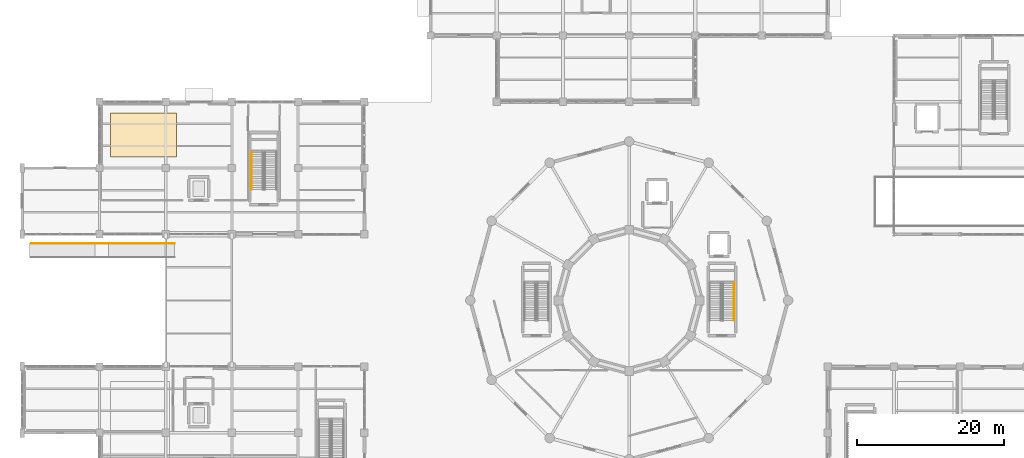
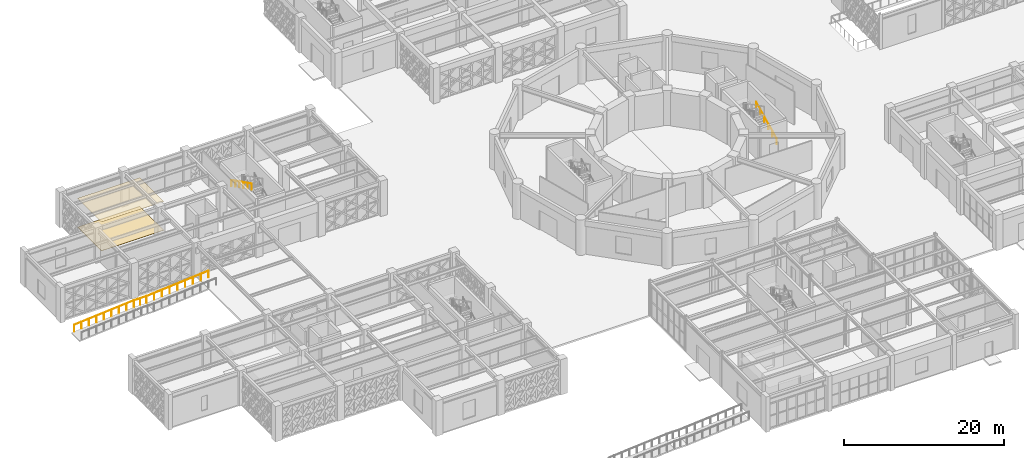
# One storey, part 132 of 140: 3 railings, 2 coverings.
"""IFC4 building model written with IfcOpenShell, lengths in metres."""

from ifc_helpers import new_model, si_unit, direction, frame, origin, origin_2d, place, context, subcontext, project, spatial, polyline, circle, outline, extrude, material, layer, layer_set, type_object, element, save


model = new_model("IFC4")

# Units and contexts
model_context = context("Model", 3, precision=1e-05, world=origin(), true_north=direction((0.0, 1.0)))
body_context = subcontext(model_context, "Body", "Model", "MODEL_VIEW")
ifc_project = project(units=[si_unit("LENGTHUNIT", "METRE"), si_unit("AREAUNIT", "SQUARE_METRE"), si_unit("VOLUMEUNIT", "CUBIC_METRE"), si_unit("PLANEANGLEUNIT", "RADIAN"), si_unit("MASSUNIT", "GRAM", prefix="KILO")], contexts=[model_context])

# Site, building, storey
site_placement = place(None, origin())
site = spatial("IfcSite", under=ifc_project, at=site_placement, CompositionType="ELEMENT")
building_placement = place(site_placement, origin())
building = spatial("IfcBuilding", under=site, at=building_placement, Name="Haizhuo Lancet Aquarium", CompositionType="ELEMENT")
storey_placement = place(building_placement, origin())
storey = spatial("IfcBuildingStorey", under=building, at=storey_placement, Name="L00", CompositionType="ELEMENT", Elevation=0.0)

# Coverings
ifc_material_1 = material(Name="Acoustic Mineral Fibre Board")
ifc_layer_1 = layer(ifc_material_1, 0.02490234375)
ifc_layer_set_1 = layer_set([ifc_layer_1], Name="Acoustic Mineral Fibre Board")
covering_type_1 = type_object("IfcCoveringType", Name="COV-CLG-ACU", PredefinedType="CEILING", material=ifc_layer_set_1)
covering_1_placement = place(storey_placement, frame((0.0, 0.0, 4.39501953125)))
element("IfcCovering", 1, at=covering_1_placement, inside=storey, type_object=covering_type_1, Name="L00 V2 acoustic suspended ceiling 1", PredefinedType="CEILING", context=body_context, shape_type="SweptSolid", body=[
    extrude(outline(polyline([(-70.5, 19.5), (-61.5, 19.5), (-61.5, 25.5), (-70.5, 25.5), (-70.5, 19.5)])), origin(), (0.0, 0.0, 1.0), 0.02490234375),
])
ifc_material_2 = material(Name="Shandong Grey Limestone Ashlar", Category="masonry")
ifc_layer_2 = layer(ifc_material_2, 0.030029296875)
ifc_layer_set_2 = layer_set([ifc_layer_2], Name="Shandong Grey Limestone Ashlar")
covering_type_2 = type_object("IfcCoveringType", Name="COV-FLR-STN", PredefinedType="FLOORING", material=ifc_layer_set_2)
covering_2_placement = place(storey_placement, origin())
element("IfcCovering", 2, at=covering_2_placement, inside=storey, type_object=covering_type_2, Name="L00 V2 limestone floor finish 1", PredefinedType="FLOORING", context=body_context, shape_type="SweptSolid", body=[
    extrude(outline(polyline([(-70.5, 19.5), (-61.5, 19.5), (-61.5, 25.5), (-70.5, 25.5), (-70.5, 19.5)])), origin(), (0.0, 0.0, 1.0), 0.030029296875),
])

# Railings
ifc_material_3 = material(Name="Steel S355", Category="steel")
railing_type_1 = type_object("IfcRailingType", Name="RL-GRD-1150", PredefinedType="GUARDRAIL", material=ifc_material_3)
railing_1_placement = place(storey_placement, frame((-81.239990234375, 7.739990234375, -1.469970703125)))
element("IfcRailing", 3, at=railing_1_placement, inside=storey, type_object=railing_type_1, material=ifc_material_3, Name="West Avenue Accessible Plinth Ramp RMP-01 edge rail 2", PredefinedType="GUARDRAIL", context=body_context, shape_type="SweptSolid", body=[
    extrude(circle(Radius=0.02392578125, at=origin_2d()), frame((0.02978515625, 0.0, 1.07861328125), z_axis=(0.996545952447, 0.0, 0.08304314939), x_axis=(0.0, 1.0, 0.0)), (0.0, 0.0, 1.0), 8.60986328125),
    extrude(circle(Radius=0.02392578125, at=origin_2d()), frame((8.669921875, 0.0, 1.7958984375), z_axis=(1.0, 0.0, 0.0), x_axis=(0.0, 1.0, 0.0)), (0.0, 0.0, 1.0), 1.739990234375),
    extrude(circle(Radius=0.02392578125, at=origin_2d()), frame((10.4697265625, 0.0, 1.798583984375), z_axis=(0.996545758245, 0.0, 0.083045479854), x_axis=(0.0, 1.0, 0.0)), (0.0, 0.0, 1.0), 8.97119140625),
    extrude(circle(Radius=0.02099609375, at=origin_2d()), origin(), (0.0, 0.0, 1.0), 1.048095703125),
    extrude(circle(Radius=0.02099609375, at=origin_2d()), frame((1.080078125, 0.0, 0.090087890625)), (0.0, 0.0, 1.0), 1.048095703125),
    extrude(circle(Radius=0.02099609375, at=origin_2d()), frame((2.159912109375, 0.0, 0.179931640625)), (0.0, 0.0, 1.0), 1.048095703125),
    extrude(circle(Radius=0.02099609375, at=origin_2d()), frame((3.239990234375, 0.0, 0.27001953125)), (0.0, 0.0, 1.0), 1.048095703125),
    extrude(circle(Radius=0.02099609375, at=origin_2d()), frame((4.31982421875, 0.0, 0.35986328125)), (0.0, 0.0, 1.0), 1.048095703125),
    extrude(circle(Radius=0.02099609375, at=origin_2d()), frame((5.39990234375, 0.0, 0.449951171875)), (0.0, 0.0, 1.0), 1.048095703125),
    extrude(circle(Radius=0.02099609375, at=origin_2d()), frame((6.47998046875, 0.0, 0.5400390625)), (0.0, 0.0, 1.0), 1.048095703125),
    extrude(circle(Radius=0.02099609375, at=origin_2d()), frame((7.559814453125, 0.0, 0.6298828125)), (0.0, 0.0, 1.0), 1.048095703125),
    extrude(circle(Radius=0.02099609375, at=origin_2d()), frame((8.639892578125, 0.0, 0.719970703125)), (0.0, 0.0, 1.0), 1.048095703125),
    extrude(circle(Radius=0.02099609375, at=origin_2d()), frame((9.5400390625, 0.0, 0.719970703125)), (0.0, 0.0, 1.0), 1.048095703125),
    extrude(circle(Radius=0.02099609375, at=origin_2d()), frame((10.43994140625, 0.0, 0.719970703125)), (0.0, 0.0, 1.0), 1.048095703125),
    extrude(circle(Radius=0.02099609375, at=origin_2d()), frame((11.56494140625, 0.0, 0.813720703125)), (0.0, 0.0, 1.0), 1.048095703125),
    extrude(circle(Radius=0.02099609375, at=origin_2d()), frame((12.68994140625, 0.0, 0.907470703125)), (0.0, 0.0, 1.0), 1.048095703125),
    extrude(circle(Radius=0.02099609375, at=origin_2d()), frame((13.81494140625, 0.0, 1.001220703125)), (0.0, 0.0, 1.0), 1.048095703125),
    extrude(circle(Radius=0.02099609375, at=origin_2d()), frame((14.93994140625, 0.0, 1.094970703125)), (0.0, 0.0, 1.0), 1.048095703125),
    extrude(circle(Radius=0.02099609375, at=origin_2d()), frame((16.06494140625, 0.0, 1.188720703125)), (0.0, 0.0, 1.0), 1.048095703125),
    extrude(circle(Radius=0.02099609375, at=origin_2d()), frame((17.18994140625, 0.0, 1.282470703125)), (0.0, 0.0, 1.0), 1.048095703125),
    extrude(circle(Radius=0.02099609375, at=origin_2d()), frame((18.31494140625, 0.0, 1.376220703125)), (0.0, 0.0, 1.0), 1.048095703125),
    extrude(circle(Radius=0.02099609375, at=origin_2d()), frame((19.43994140625, 0.0, 1.469970703125)), (0.0, 0.0, 1.0), 1.048095703125),
])
railing_type_2 = type_object("IfcRailingType", Name="RL-HDR-900", PredefinedType="HANDRAIL", material=ifc_material_3)
railing_2_placement = place(storey_placement, frame((14.25, -2.75, 0.14990234375)))
element("IfcRailing", 4, at=railing_2_placement, inside=storey, type_object=railing_type_2, Name="L00 ST-02 pitch handrail 1", PredefinedType="HANDRAIL", context=body_context, shape_type="SweptSolid", body=[
    extrude(circle(Radius=0.02392578125, at=origin_2d()), frame((0.0, 0.02685546875, 0.88916015625), z_axis=(0.0, 0.894427191, 0.4472135955), x_axis=(-1.0, 0.0, 0.0)), (0.0, 0.0, 1.0), 5.64208984375),
    extrude(circle(Radius=0.02099609375, at=origin_2d()), origin(), (0.0, 0.0, 1.0), 0.847900390625),
    extrude(circle(Radius=0.02099609375, at=origin_2d()), frame((0.0, 1.02001953125, 0.510009765625)), (0.0, 0.0, 1.0), 0.847900390625),
    extrude(circle(Radius=0.02099609375, at=origin_2d()), frame((0.0, 2.0400390625, 1.02001953125)), (0.0, 0.0, 1.0), 0.847900390625),
    extrude(circle(Radius=0.02099609375, at=origin_2d()), frame((0.0, 3.06005859375, 1.530029296875)), (0.0, 0.0, 1.0), 0.847900390625),
    extrude(circle(Radius=0.02099609375, at=origin_2d()), frame((0.0, 4.080078125, 2.0400390625)), (0.0, 0.0, 1.0), 0.847900390625),
    extrude(circle(Radius=0.02099609375, at=origin_2d()), frame((0.0, 5.10009765625, 2.550048828125)), (0.0, 0.0, 1.0), 0.847900390625),
])
railing_3_placement = place(storey_placement, frame((-51.35009765625, 20.14990234375, 2.85009765625)))
element("IfcRailing", 5, at=railing_3_placement, inside=storey, type_object=railing_type_2, Name="L00 ST-03 pitch handrail 2", PredefinedType="HANDRAIL", context=body_context, shape_type="SweptSolid", body=[
    extrude(circle(Radius=0.02392578125, at=origin_2d()), frame((0.0, -0.02685546875, 0.88916015625), z_axis=(0.0, -0.894435754537, 0.447196468016), x_axis=(1.0, 0.0, 0.0)), (0.0, 0.0, 1.0), 5.641845703125),
    extrude(circle(Radius=0.02099609375, at=origin_2d()), origin(), (0.0, 0.0, 1.0), 0.847900390625),
    extrude(circle(Radius=0.02099609375, at=origin_2d()), frame((0.0, -1.02001953125, 0.510009765625)), (0.0, 0.0, 1.0), 0.847900390625),
    extrude(circle(Radius=0.02099609375, at=origin_2d()), frame((0.0, -2.0400390625, 1.02001953125)), (0.0, 0.0, 1.0), 0.847900390625),
    extrude(circle(Radius=0.02099609375, at=origin_2d()), frame((0.0, -3.059814453125, 1.52978515625)), (0.0, 0.0, 1.0), 0.847900390625),
    extrude(circle(Radius=0.02099609375, at=origin_2d()), frame((0.0, -4.079833984375, 2.039794921875)), (0.0, 0.0, 1.0), 0.847900390625),
    extrude(circle(Radius=0.02099609375, at=origin_2d()), frame((0.0, -5.099853515625, 2.5498046875)), (0.0, 0.0, 1.0), 0.847900390625),
])

save(model, "model.ifc")
